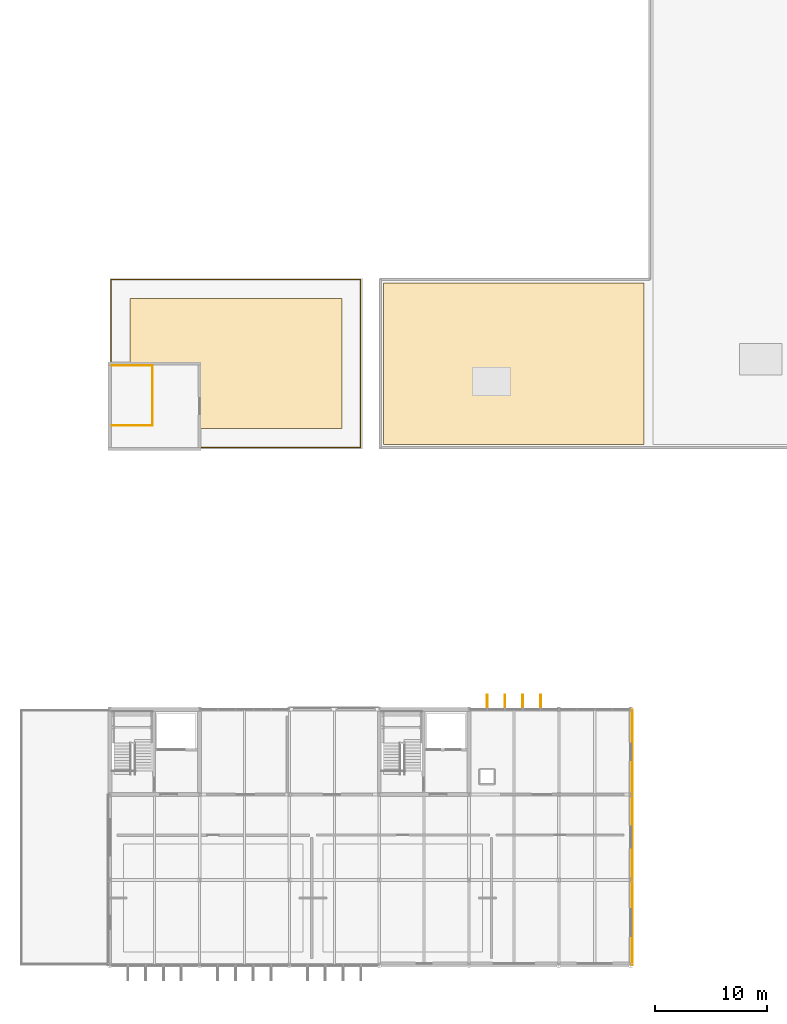
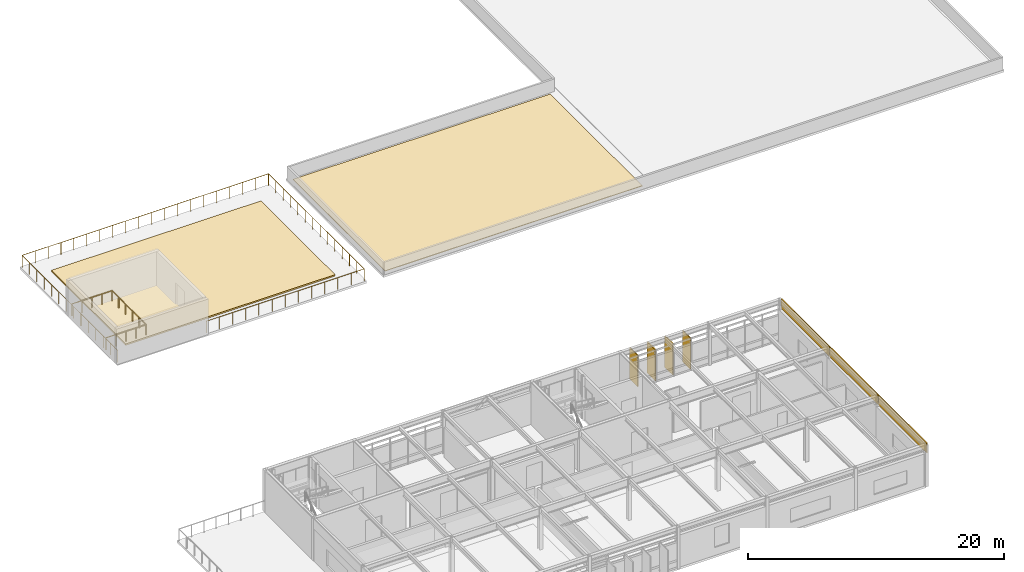
# One storey, part 20 of 21: 5 coverings, 4 shading devices, 3 railings.
"""IFC4 building model written with IfcOpenShell, lengths in metres."""

from ifc_helpers import new_model, si_unit, direction, frame, origin, origin_2d, place, context, subcontext, project, spatial, polyline, rectangle, circle, outline, extrude, material, layer, layer_set, type_object, element, save


model = new_model("IFC4")

# Units and contexts
model_context = context("Model", 3, precision=1e-05, world=origin(), true_north=direction((0.0, 1.0)))
body_context = subcontext(model_context, "Body", "Model", "MODEL_VIEW")
ifc_project = project(units=[si_unit("LENGTHUNIT", "METRE"), si_unit("AREAUNIT", "SQUARE_METRE"), si_unit("VOLUMEUNIT", "CUBIC_METRE"), si_unit("PLANEANGLEUNIT", "RADIAN"), si_unit("MASSUNIT", "GRAM", prefix="KILO")], contexts=[model_context])

# Site, building, storey
site_placement = place(None, origin())
site = spatial("IfcSite", under=ifc_project, at=site_placement, CompositionType="ELEMENT")
building_placement = place(site_placement, origin())
building = spatial("IfcBuilding", under=site, at=building_placement, Name="Zulena Civic Courthouse", CompositionType="ELEMENT")
storey_placement = place(building_placement, frame((0.0, 0.0, 37.800048828125)))
storey = spatial("IfcBuildingStorey", under=building, at=storey_placement, Name="L08", CompositionType="ELEMENT", Elevation=37.800048828125)

# Shading devices
ifc_material_1 = material(Name="Gold anodised architectural aluminium AA6063-T6", Category="aluminium")
shading_device_type = type_object("IfcShadingDeviceType", Name="GoldSolarFin_300", PredefinedType="USERDEFINED", material=ifc_material_1)
for number, where, z_axis, x_axis, name in (
    (1, (53.62158203125, 23.485107421875, 0.0498046875), (0.0, 0.0, 1.0), (0.0, 1.0, 0.0), "fin:V2:L08:1:4:1"),
    (2, (55.207275390625, 23.485107421875, 0.0498046875), (0.0, 0.0, 1.0), (0.0, 1.0, 0.0), "fin:V2:L08:1:4:2"),
    (3, (56.792724609375, 23.485107421875, 0.0498046875), (0.0, 0.0, 1.0), (0.0, 1.0, 0.0), "fin:V2:L08:1:4:3"),
    (4, (58.37841796875, 23.485107421875, 0.0498046875), (0.0, 0.0, 1.0), (0.0, 1.0, 0.0), "fin:V2:L08:1:4:4"),
):
    element("IfcShadingDevice", number, at=place(storey_placement, frame(where, z_axis=z_axis, x_axis=x_axis)), inside=storey, type_object=shading_device_type, Name=name, ObjectType="FIN", PredefinedType="USERDEFINED", context=body_context, shape_type="SweptSolid", body=[
        extrude(rectangle(XDim=1.25, YDim=0.080078125, at=origin_2d()), origin(), (0.0, 0.0, 1.0), 2.989990234375),
    ])

# Railings
ifc_material_2 = material(Name="Brushed architectural steel ASTM A36", Category="steel")
railing_type_1 = type_object("IfcRailingType", Name="InteriorGuardrail_1150", PredefinedType="GUARDRAIL", material=ifc_material_2)
railing_1_placement = place(storey_placement, frame((20.199951171875, 53.409912109375, 0.0)))
element("IfcRailing", 5, at=railing_1_placement, inside=storey, type_object=railing_type_1, Name="gr:wellN:K5A:L07", PredefinedType="GUARDRAIL", context=body_context, shape_type="SweptSolid", body=[
    extrude(circle(Radius=0.02392578125, at=origin_2d()), frame((0.00390625, 0.0, 1.1259765625), z_axis=(1.0, 0.0, 0.0), x_axis=(0.0, 1.0, 0.0)), (0.0, 0.0, 1.0), 3.592041015625),
    extrude(circle(Radius=0.02099609375, at=origin_2d()), origin(), (0.0, 0.0, 1.0), 1.097900390625),
    extrude(circle(Radius=0.02099609375, at=origin_2d()), frame((0.89990234375, 0.0, 0.0)), (0.0, 0.0, 1.0), 1.097900390625),
    extrude(circle(Radius=0.02099609375, at=origin_2d()), frame((1.800048828125, 0.0, 0.0)), (0.0, 0.0, 1.0), 1.097900390625),
    extrude(circle(Radius=0.02099609375, at=origin_2d()), frame((2.7001953125, 0.0, 0.0)), (0.0, 0.0, 1.0), 1.097900390625),
    extrude(circle(Radius=0.02099609375, at=origin_2d()), frame((3.60009765625, 0.0, 0.0)), (0.0, 0.0, 1.0), 1.097900390625),
])
railing_2_placement = place(storey_placement, frame((23.800048828125, 53.419921875, 0.0)))
element("IfcRailing", 6, at=railing_2_placement, inside=storey, type_object=railing_type_1, Name="gr:topwell:K5A:L07", PredefinedType="GUARDRAIL", context=body_context, shape_type="SweptSolid", body=[
    extrude(circle(Radius=0.02392578125, at=origin_2d()), frame((0.0, -0.00390625, 1.1259765625), z_axis=(0.0, -1.0, 0.0), x_axis=(1.0, 0.0, 0.0)), (0.0, 0.0, 1.0), 5.331787109375),
    extrude(circle(Radius=0.02392578125, at=origin_2d()), frame((-0.00390625, -5.33984375, 1.1259765625), z_axis=(-1.0, 0.0, 0.0), x_axis=(0.0, -1.0, 0.0)), (0.0, 0.0, 1.0), 3.612060546875),
    extrude(circle(Radius=0.02099609375, at=origin_2d()), origin(), (0.0, 0.0, 1.0), 1.097900390625),
    extrude(circle(Radius=0.02099609375, at=origin_2d()), frame((0.0, -1.06787109375, 0.0)), (0.0, 0.0, 1.0), 1.097900390625),
    extrude(circle(Radius=0.02099609375, at=origin_2d()), frame((0.0, -2.135986328125, 0.0)), (0.0, 0.0, 1.0), 1.097900390625),
    extrude(circle(Radius=0.02099609375, at=origin_2d()), frame((0.0, -3.203857421875, 0.0)), (0.0, 0.0, 1.0), 1.097900390625),
    extrude(circle(Radius=0.02099609375, at=origin_2d()), frame((0.0, -4.27197265625, 0.0)), (0.0, 0.0, 1.0), 1.097900390625),
    extrude(circle(Radius=0.02099609375, at=origin_2d()), frame((0.0, -5.33984375, 0.0)), (0.0, 0.0, 1.0), 1.097900390625),
    extrude(circle(Radius=0.02099609375, at=origin_2d()), frame((-0.905029296875, -5.33984375, 0.0)), (0.0, 0.0, 1.0), 1.097900390625),
    extrude(circle(Radius=0.02099609375, at=origin_2d()), frame((-1.81005859375, -5.33984375, 0.0)), (0.0, 0.0, 1.0), 1.097900390625),
    extrude(circle(Radius=0.02099609375, at=origin_2d()), frame((-2.715087890625, -5.33984375, 0.0)), (0.0, 0.0, 1.0), 1.097900390625),
    extrude(circle(Radius=0.02099609375, at=origin_2d()), frame((-3.6201171875, -5.33984375, 0.0)), (0.0, 0.0, 1.0), 1.097900390625),
])

# Coverings
ifc_material_3 = material(Name="Planted vegetated roof substrate and turf", Category="concrete")
ifc_layer_1 = layer(ifc_material_3, 0.139892578125)
ifc_layer_set_1 = layer_set([ifc_layer_1], Name="Planted vegetated roof substrate and turf")
covering_type_1 = type_object("IfcCoveringType", Name="PlantedGardenTopping_140", PredefinedType="ROOFING", material=ifc_layer_set_1)
covering_1_placement = place(storey_placement, origin())
element("IfcCovering", 7, at=covering_1_placement, inside=storey, type_object=covering_type_1, Name="cov:garden:TR-V5-L08", PredefinedType="ROOFING", context=body_context, shape_type="SweptSolid", body=[
    extrude(outline(polyline([(21.800048828125, 47.800048828125), (40.699951171875, 47.800048828125), (40.699951171875, 59.39990234375), (21.800048828125, 59.39990234375), (21.800048828125, 47.800048828125)])), origin(), (0.0, 0.0, 1.0), 0.139892578125),
])
ifc_material_4 = material(Name="White architectural precast concrete C40/50", Category="concrete")
ifc_layer_2 = layer(ifc_material_4, 0.0849609375)
ifc_layer_set_2 = layer_set([ifc_layer_2], Name="White architectural precast concrete C40/50")
covering_type_2 = type_object("IfcCoveringType", Name="PrecastSpandrelCladding_85", PredefinedType="CLADDING", material=ifc_layer_set_2)
for number, where, z_axis, x_axis, name in (
    (8, (66.52001953125, 19.0, 3.06005859375), (0.0, 0.0, 1.0), (0.0, -1.0, 0.0), "clad:sp:V2:L08:2:0"),
    (9, (66.52001953125, 11.39990234375, 3.06005859375), (0.0, 0.0, 1.0), (0.0, -1.0, 0.0), "clad:sp:V2:L08:2:1"),
    (10, (66.52001953125, 3.800048828125, 3.06005859375), (0.0, 0.0, 1.0), (0.0, -1.0, 0.0), "clad:sp:V2:L08:2:2"),
):
    element("IfcCovering", number, at=place(storey_placement, frame(where, z_axis=z_axis, x_axis=x_axis)), inside=storey, type_object=covering_type_2, Name=name, PredefinedType="CLADDING", context=body_context, shape_type="SweptSolid", body=[
        extrude(rectangle(XDim=7.56005859375, YDim=0.0849609375, at=origin_2d()), origin(), (0.0, 0.0, 1.0), 0.93994140625),
    ])
ifc_material_5 = material(Name="Insulated standing-seam zinc-aluminium roofing", Category="aluminium")
ifc_layer_3 = layer(ifc_material_5, 0.06005859375)
ifc_layer_set_3 = layer_set([ifc_layer_3], Name="Insulated standing-seam zinc-aluminium roofing")
covering_type_3 = type_object("IfcCoveringType", Name="StandingSeamRoofing_60", PredefinedType="ROOFING", material=ifc_layer_set_3)
covering_2_placement = place(storey_placement, origin())
element("IfcCovering", 11, at=covering_2_placement, inside=storey, type_object=covering_type_3, Name="cov:roofing:V5W", PredefinedType="ROOFING", context=body_context, shape_type="SweptSolid", body=[
    extrude(outline(polyline([(44.39990234375, 46.39990234375), (67.60009765625, 46.39990234375), (67.60009765625, 60.800048828125), (44.39990234375, 60.800048828125), (44.39990234375, 46.39990234375)])), origin(), (0.0, 0.0, 1.0), 0.06005859375),
])

# Railing
ifc_material_6 = material(Name="Bronze-painted architectural steel ASTM A36", Category="steel")
railing_type_2 = type_object("IfcRailingType", Name="TerraceBalustrade_1150", PredefinedType="BALUSTRADE", material=ifc_material_6)
railing_3_placement = place(storey_placement, frame((20.1201171875, 46.1201171875, 0.0)))
element("IfcRailing", 12, at=railing_3_placement, inside=storey, type_object=railing_type_2, Name="guard:terrace:TR-V5-L08:0", PredefinedType="BALUSTRADE", context=body_context, shape_type="SweptSolid", body=[
    extrude(circle(Radius=0.02392578125, at=origin_2d()), frame((0.0, 0.00390625, 1.1259765625), z_axis=(0.0, 1.0, 0.0), x_axis=(-1.0, 0.0, 0.0)), (0.0, 0.0, 1.0), 14.951904296875),
    extrude(circle(Radius=0.02392578125, at=origin_2d()), frame((0.00390625, 14.9599609375, 1.1259765625), z_axis=(1.0, 0.0, 0.0), x_axis=(0.0, 1.0, 0.0)), (0.0, 0.0, 1.0), 22.221923828125),
    extrude(circle(Radius=0.02392578125, at=origin_2d()), frame((22.22998046875, 14.9560546875, 1.1259765625), z_axis=(0.0, -1.0, 0.0), x_axis=(1.0, 0.0, 0.0)), (0.0, 0.0, 1.0), 14.951904296875),
    extrude(circle(Radius=0.02392578125, at=origin_2d()), frame((22.22607421875, 0.0, 1.1259765625), z_axis=(-1.0, 0.0, 0.0), x_axis=(0.0, -1.0, 0.0)), (0.0, 0.0, 1.0), 14.241943359375),
    extrude(circle(Radius=0.02099609375, at=origin_2d()), origin(), (0.0, 0.0, 1.0), 1.097900390625),
    extrude(circle(Radius=0.02099609375, at=origin_2d()), frame((0.0, 1.15087890625, 0.0)), (0.0, 0.0, 1.0), 1.097900390625),
    extrude(circle(Radius=0.02099609375, at=origin_2d()), frame((0.0, 2.301513671875, 0.0)), (0.0, 0.0, 1.0), 1.097900390625),
    extrude(circle(Radius=0.02099609375, at=origin_2d()), frame((0.0, 3.452392578125, 0.0)), (0.0, 0.0, 1.0), 1.097900390625),
    extrude(circle(Radius=0.02099609375, at=origin_2d()), frame((0.0, 4.60302734375, 0.0)), (0.0, 0.0, 1.0), 1.097900390625),
    extrude(circle(Radius=0.02099609375, at=origin_2d()), frame((0.0, 5.75390625, 0.0)), (0.0, 0.0, 1.0), 1.097900390625),
    extrude(circle(Radius=0.02099609375, at=origin_2d()), frame((0.0, 6.904541015625, 0.0)), (0.0, 0.0, 1.0), 1.097900390625),
    extrude(circle(Radius=0.02099609375, at=origin_2d()), frame((0.0, 8.055419921875, 0.0)), (0.0, 0.0, 1.0), 1.097900390625),
    extrude(circle(Radius=0.02099609375, at=origin_2d()), frame((0.0, 9.2060546875, 0.0)), (0.0, 0.0, 1.0), 1.097900390625),
    extrude(circle(Radius=0.02099609375, at=origin_2d()), frame((0.0, 10.35693359375, 0.0)), (0.0, 0.0, 1.0), 1.097900390625),
    extrude(circle(Radius=0.02099609375, at=origin_2d()), frame((0.0, 11.507568359375, 0.0)), (0.0, 0.0, 1.0), 1.097900390625),
    extrude(circle(Radius=0.02099609375, at=origin_2d()), frame((0.0, 12.658447265625, 0.0)), (0.0, 0.0, 1.0), 1.097900390625),
    extrude(circle(Radius=0.02099609375, at=origin_2d()), frame((0.0, 13.80908203125, 0.0)), (0.0, 0.0, 1.0), 1.097900390625),
    extrude(circle(Radius=0.02099609375, at=origin_2d()), frame((0.0, 14.9599609375, 0.0)), (0.0, 0.0, 1.0), 1.097900390625),
    extrude(circle(Radius=0.02099609375, at=origin_2d()), frame((1.169921875, 14.9599609375, 0.0)), (0.0, 0.0, 1.0), 1.097900390625),
    extrude(circle(Radius=0.02099609375, at=origin_2d()), frame((2.340087890625, 14.9599609375, 0.0)), (0.0, 0.0, 1.0), 1.097900390625),
    extrude(circle(Radius=0.02099609375, at=origin_2d()), frame((3.510009765625, 14.9599609375, 0.0)), (0.0, 0.0, 1.0), 1.097900390625),
    extrude(circle(Radius=0.02099609375, at=origin_2d()), frame((4.679931640625, 14.9599609375, 0.0)), (0.0, 0.0, 1.0), 1.097900390625),
    extrude(circle(Radius=0.02099609375, at=origin_2d()), frame((5.85009765625, 14.9599609375, 0.0)), (0.0, 0.0, 1.0), 1.097900390625),
    extrude(circle(Radius=0.02099609375, at=origin_2d()), frame((7.02001953125, 14.9599609375, 0.0)), (0.0, 0.0, 1.0), 1.097900390625),
    extrude(circle(Radius=0.02099609375, at=origin_2d()), frame((8.18994140625, 14.9599609375, 0.0)), (0.0, 0.0, 1.0), 1.097900390625),
    extrude(circle(Radius=0.02099609375, at=origin_2d()), frame((9.360107421875, 14.9599609375, 0.0)), (0.0, 0.0, 1.0), 1.097900390625),
    extrude(circle(Radius=0.02099609375, at=origin_2d()), frame((10.530029296875, 14.9599609375, 0.0)), (0.0, 0.0, 1.0), 1.097900390625),
    extrude(circle(Radius=0.02099609375, at=origin_2d()), frame((11.699951171875, 14.9599609375, 0.0)), (0.0, 0.0, 1.0), 1.097900390625),
    extrude(circle(Radius=0.02099609375, at=origin_2d()), frame((12.869873046875, 14.9599609375, 0.0)), (0.0, 0.0, 1.0), 1.097900390625),
    extrude(circle(Radius=0.02099609375, at=origin_2d()), frame((14.0400390625, 14.9599609375, 0.0)), (0.0, 0.0, 1.0), 1.097900390625),
    extrude(circle(Radius=0.02099609375, at=origin_2d()), frame((15.2099609375, 14.9599609375, 0.0)), (0.0, 0.0, 1.0), 1.097900390625),
    extrude(circle(Radius=0.02099609375, at=origin_2d()), frame((16.3798828125, 14.9599609375, 0.0)), (0.0, 0.0, 1.0), 1.097900390625),
    extrude(circle(Radius=0.02099609375, at=origin_2d()), frame((17.550048828125, 14.9599609375, 0.0)), (0.0, 0.0, 1.0), 1.097900390625),
    extrude(circle(Radius=0.02099609375, at=origin_2d()), frame((18.719970703125, 14.9599609375, 0.0)), (0.0, 0.0, 1.0), 1.097900390625),
    extrude(circle(Radius=0.02099609375, at=origin_2d()), frame((19.889892578125, 14.9599609375, 0.0)), (0.0, 0.0, 1.0), 1.097900390625),
    extrude(circle(Radius=0.02099609375, at=origin_2d()), frame((21.06005859375, 14.9599609375, 0.0)), (0.0, 0.0, 1.0), 1.097900390625),
    extrude(circle(Radius=0.02099609375, at=origin_2d()), frame((22.22998046875, 14.9599609375, 0.0)), (0.0, 0.0, 1.0), 1.097900390625),
    extrude(circle(Radius=0.02099609375, at=origin_2d()), frame((22.22998046875, 13.80908203125, 0.0)), (0.0, 0.0, 1.0), 1.097900390625),
    extrude(circle(Radius=0.02099609375, at=origin_2d()), frame((22.22998046875, 12.658447265625, 0.0)), (0.0, 0.0, 1.0), 1.097900390625),
    extrude(circle(Radius=0.02099609375, at=origin_2d()), frame((22.22998046875, 11.507568359375, 0.0)), (0.0, 0.0, 1.0), 1.097900390625),
    extrude(circle(Radius=0.02099609375, at=origin_2d()), frame((22.22998046875, 10.35693359375, 0.0)), (0.0, 0.0, 1.0), 1.097900390625),
    extrude(circle(Radius=0.02099609375, at=origin_2d()), frame((22.22998046875, 9.2060546875, 0.0)), (0.0, 0.0, 1.0), 1.097900390625),
    extrude(circle(Radius=0.02099609375, at=origin_2d()), frame((22.22998046875, 8.055419921875, 0.0)), (0.0, 0.0, 1.0), 1.097900390625),
    extrude(circle(Radius=0.02099609375, at=origin_2d()), frame((22.22998046875, 6.904541015625, 0.0)), (0.0, 0.0, 1.0), 1.097900390625),
    extrude(circle(Radius=0.02099609375, at=origin_2d()), frame((22.22998046875, 5.75390625, 0.0)), (0.0, 0.0, 1.0), 1.097900390625),
    extrude(circle(Radius=0.02099609375, at=origin_2d()), frame((22.22998046875, 4.60302734375, 0.0)), (0.0, 0.0, 1.0), 1.097900390625),
    extrude(circle(Radius=0.02099609375, at=origin_2d()), frame((22.22998046875, 3.452392578125, 0.0)), (0.0, 0.0, 1.0), 1.097900390625),
    extrude(circle(Radius=0.02099609375, at=origin_2d()), frame((22.22998046875, 2.301513671875, 0.0)), (0.0, 0.0, 1.0), 1.097900390625),
    extrude(circle(Radius=0.02099609375, at=origin_2d()), frame((22.22998046875, 1.15087890625, 0.0)), (0.0, 0.0, 1.0), 1.097900390625),
    extrude(circle(Radius=0.02099609375, at=origin_2d()), frame((22.22998046875, 0.0, 0.0)), (0.0, 0.0, 1.0), 1.097900390625),
    extrude(circle(Radius=0.02099609375, at=origin_2d()), frame((21.04248046875, 0.0, 0.0)), (0.0, 0.0, 1.0), 1.097900390625),
    extrude(circle(Radius=0.02099609375, at=origin_2d()), frame((19.85498046875, 0.0, 0.0)), (0.0, 0.0, 1.0), 1.097900390625),
    extrude(circle(Radius=0.02099609375, at=origin_2d()), frame((18.66748046875, 0.0, 0.0)), (0.0, 0.0, 1.0), 1.097900390625),
    extrude(circle(Radius=0.02099609375, at=origin_2d()), frame((17.47998046875, 0.0, 0.0)), (0.0, 0.0, 1.0), 1.097900390625),
    extrude(circle(Radius=0.02099609375, at=origin_2d()), frame((16.29248046875, 0.0, 0.0)), (0.0, 0.0, 1.0), 1.097900390625),
    extrude(circle(Radius=0.02099609375, at=origin_2d()), frame((15.10498046875, 0.0, 0.0)), (0.0, 0.0, 1.0), 1.097900390625),
    extrude(circle(Radius=0.02099609375, at=origin_2d()), frame((13.91748046875, 0.0, 0.0)), (0.0, 0.0, 1.0), 1.097900390625),
    extrude(circle(Radius=0.02099609375, at=origin_2d()), frame((12.72998046875, 0.0, 0.0)), (0.0, 0.0, 1.0), 1.097900390625),
    extrude(circle(Radius=0.02099609375, at=origin_2d()), frame((11.54248046875, 0.0, 0.0)), (0.0, 0.0, 1.0), 1.097900390625),
    extrude(circle(Radius=0.02099609375, at=origin_2d()), frame((10.35498046875, 0.0, 0.0)), (0.0, 0.0, 1.0), 1.097900390625),
    extrude(circle(Radius=0.02099609375, at=origin_2d()), frame((9.16748046875, 0.0, 0.0)), (0.0, 0.0, 1.0), 1.097900390625),
    extrude(circle(Radius=0.02099609375, at=origin_2d()), frame((7.97998046875, 0.0, 0.0)), (0.0, 0.0, 1.0), 1.097900390625),
])

save(model, "model.ifc")
